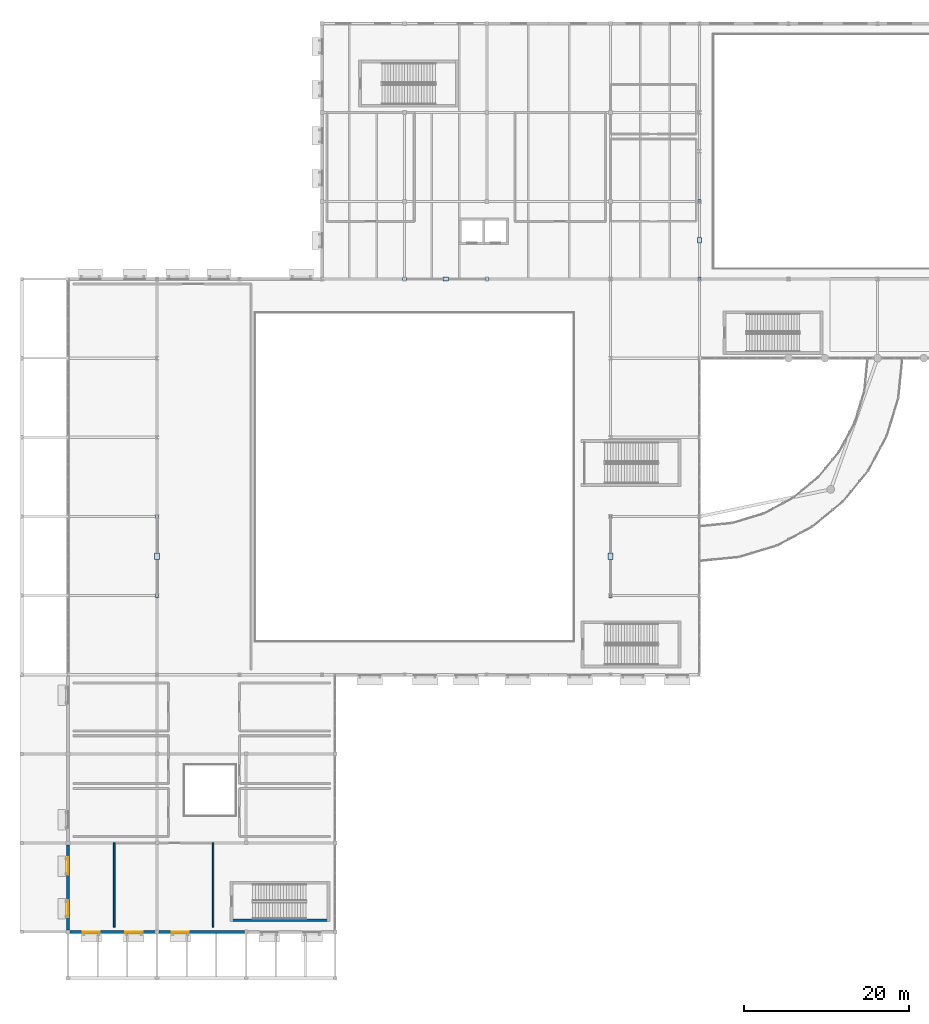
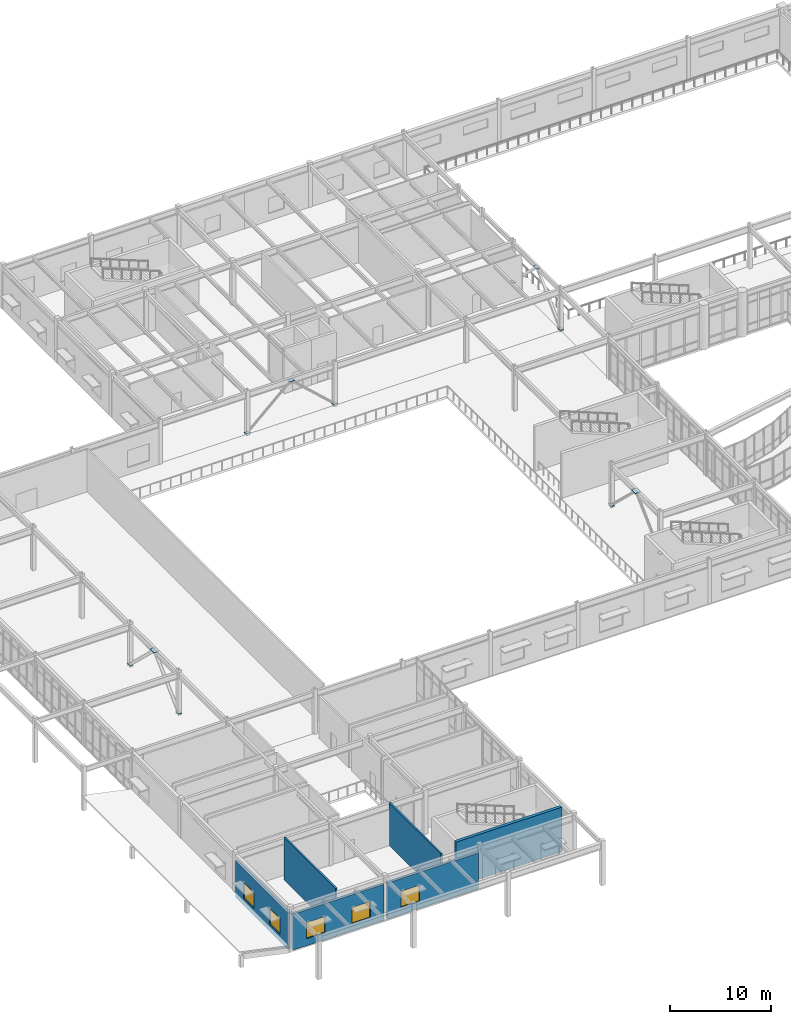
# One storey, part 47 of 72: 12 plates, 6 walls, 5 windows, 5 openings.
"""IFC4 building model written with IfcOpenShell, lengths in metres."""

from ifc_helpers import new_model, si_unit, direction, frame, frame_2d, origin, origin_2d, place, context, subcontext, project, spatial, rectangle, extrude, material, layer, layer_set, type_object, element, fill, save


model = new_model("IFC4")

# Units and contexts
model_context = context("Model", 3, precision=1e-05, world=origin(), true_north=direction((0.0, 1.0)))
body_context = subcontext(model_context, "Body", "Model", "MODEL_VIEW")
ifc_project = project(units=[si_unit("LENGTHUNIT", "METRE"), si_unit("AREAUNIT", "SQUARE_METRE"), si_unit("VOLUMEUNIT", "CUBIC_METRE"), si_unit("PLANEANGLEUNIT", "RADIAN"), si_unit("MASSUNIT", "GRAM", prefix="KILO")], contexts=[model_context])

# Site, building, storey
site_placement = place(None, origin())
site = spatial("IfcSite", under=ifc_project, at=site_placement, CompositionType="ELEMENT")
building_placement = place(site_placement, origin())
building = spatial("IfcBuilding", under=site, at=building_placement, Name="Veldera Park Congress Hotel", CompositionType="ELEMENT")
storey_placement = place(building_placement, frame((0.0, 0.0, 5.39990234375)))
storey = spatial("IfcBuildingStorey", under=building, at=storey_placement, Name="L01", CompositionType="ELEMENT", Elevation=5.39990234375)

# Plates
ifc_material_1 = material(Name="Steel ASTM A572 Gr.50", Category="steel")
ifc_layer_1 = layer(ifc_material_1, 0.02197265625)
ifc_layer_set_1 = layer_set([ifc_layer_1], Name="Steel ASTM A572 Gr.50")
plate_type_1 = type_object("IfcPlateType", Name="PLT-CAP01", PredefinedType="SHEET", material=ifc_layer_set_1)
for number, where, z_axis, x_axis, name in (
    (1, (-1.60009765625, 27.0, 0.189208984375), (0.0, 0.0, 1.0), (0.0, 1.0, 0.0), "Brace Base Cap Plate 11A"),
    (2, (-1.60009765625, 36.39990234375, 0.189208984375), (0.0, 0.0, 1.0), (0.0, 1.0, 0.0), "Brace Base Cap Plate 11B"),
    (3, (-37.39990234375, 27.0, 0.189208984375), (0.0, 0.0, 1.0), (1.0, 0.0, 0.0), "Brace Base Cap Plate 12A"),
    (4, (-27.39990234375, 27.0, 0.189208984375), (0.0, 0.0, 1.0), (1.0, 0.0, 0.0), "Brace Base Cap Plate 12B"),
):
    element("IfcPlate", number, at=place(storey_placement, frame(where, z_axis=z_axis, x_axis=x_axis)), inside=storey, type_object=plate_type_1, Name=name, PredefinedType="SHEET", context=body_context, shape_type="SweptSolid", body=[
        extrude(rectangle(XDim=0.47998046875, YDim=0.340087890625, at=origin_2d()), origin(), (0.0, 0.0, 1.0), 0.02197265625),
    ])
ifc_layer_2 = layer(ifc_material_1, 0.033935546875)
ifc_layer_set_2 = layer_set([ifc_layer_2], Name="Steel ASTM A572 Gr.50")
plate_type_2 = type_object("IfcPlateType", Name="PLT-CAP02", PredefinedType="SHEET", material=ifc_layer_set_2)
for number, where, z_axis, x_axis, name in (
    (5, (-67.39990234375, -11.39990234375, 0.18310546875), (0.0, 0.0, 1.0), (0.0, 1.0, 0.0), "Brace Base Cap Plate 9A"),
    (6, (-67.39990234375, -1.800048828125, 0.18310546875), (0.0, 0.0, 1.0), (0.0, 1.0, 0.0), "Brace Base Cap Plate 9B"),
    (7, (-12.39990234375, -11.39990234375, 0.18310546875), (0.0, 0.0, 1.0), (0.0, 1.0, 0.0), "Brace Base Cap Plate 10A"),
    (8, (-12.39990234375, -1.800048828125, 0.18310546875), (0.0, 0.0, 1.0), (0.0, 1.0, 0.0), "Brace Base Cap Plate 10B"),
):
    element("IfcPlate", number, at=place(storey_placement, frame(where, z_axis=z_axis, x_axis=x_axis)), inside=storey, type_object=plate_type_2, Name=name, PredefinedType="SHEET", context=body_context, shape_type="SweptSolid", body=[
        extrude(rectangle(XDim=0.5400390625, YDim=0.3798828125, at=origin_2d()), origin(), (0.0, 0.0, 1.0), 0.033935546875),
    ])
ifc_layer_3 = layer(ifc_material_1, 0.030029296875)
ifc_layer_set_3 = layer_set([ifc_layer_3], Name="Steel ASTM A572 Gr.50")
plate_type_3 = type_object("IfcPlateType", Name="PLT-GUS02", PredefinedType="USERDEFINED", material=ifc_layer_set_3)
for number, where, z_axis, x_axis, name in (
    (9, (-1.60009765625, 31.699951171875, 4.806640625), (0.0, 0.0, 1.0), (0.0, 1.0, 0.0), "Chevron Apex Gusset Plate 11"),
    (10, (-32.39990234375, 27.0, 4.7646484375), (0.0, 0.0, 1.0), (1.0, 0.0, 0.0), "Chevron Apex Gusset Plate 12"),
):
    element("IfcPlate", number, at=place(storey_placement, frame(where, z_axis=z_axis, x_axis=x_axis)), inside=storey, type_object=plate_type_3, Name=name, ObjectType="GUSSET PLATE", PredefinedType="USERDEFINED", context=body_context, shape_type="SweptSolid", body=[
        extrude(rectangle(XDim=0.639892578125, YDim=0.4599609375, at=origin_2d()), origin(), (0.0, 0.0, 1.0), 0.030029296875),
    ])
ifc_layer_4 = layer(ifc_material_1, 0.050048828125)
ifc_layer_set_4 = layer_set([ifc_layer_4], Name="Steel ASTM A572 Gr.50")
plate_type_4 = type_object("IfcPlateType", Name="PLT-GUS04", PredefinedType="USERDEFINED", material=ifc_layer_set_4)
for number, where, z_axis, x_axis, name in (
    (11, (-67.39990234375, -6.60009765625, 4.7587890625), (0.0, 0.0, 1.0), (0.0, 1.0, 0.0), "Chevron Apex Gusset Plate 9"),
    (12, (-12.39990234375, -6.60009765625, 4.7587890625), (0.0, 0.0, 1.0), (0.0, 1.0, 0.0), "Chevron Apex Gusset Plate 10"),
):
    element("IfcPlate", number, at=place(storey_placement, frame(where, z_axis=z_axis, x_axis=x_axis)), inside=storey, type_object=plate_type_4, Name=name, ObjectType="GUSSET PLATE", PredefinedType="USERDEFINED", context=body_context, shape_type="SweptSolid", body=[
        extrude(rectangle(XDim=0.800048828125, YDim=0.580078125, at=origin_2d()), origin(), (0.0, 0.0, 1.0), 0.050048828125),
    ])

# Wall, openings, windows
ifc_material_2 = material(Name="Cross-laminated timber CLT V2M1.1", Category="wood")
ifc_layer_5 = layer(ifc_material_2, 0.320068359375)
ifc_layer_set_5 = layer_set([ifc_layer_5], Name="Cross-laminated timber CLT V2M1.1")
wall_type_1 = type_object("IfcWallType", Name="EW-CLT320", PredefinedType="STANDARD", material=ifc_layer_set_5)
wall_1_placement = place(storey_placement, frame((-78.199951171875, -41.623046875, 0.0), z_axis=(0.0, 0.0, 1.0), x_axis=(0.0, -1.0, 0.0)))
wall_1 = element("IfcWall", 13, at=wall_1_placement, inside=storey, type_object=wall_type_1, Name="L01 Exterior Wall EW3-L01-0069", PredefinedType="STANDARD", context=body_context, shape_type="SweptSolid", body=[
    extrude(rectangle(XDim=10.35400390625, YDim=0.320068359375, at=frame_2d((5.177001953125, 0.0))), origin(), (0.0, 0.0, 1.0), 4.42919921875),
])
opening_1_placement = place(wall_1_placement, frame((1.53857421875, 0.0, 0.85009765625)))
opening_1 = element("IfcOpeningElement", 14, at=opening_1_placement, cuts=wall_1, Name="Opening WIN-2100", PredefinedType="OPENING", context=body_context, shape_type="SweptSolid", body=[
    extrude(rectangle(XDim=2.10009765625, YDim=1.949951171875, at=frame_2d((1.050048828125, 0.97509765625))), frame((0.0, 0.172119140625, 0.0), z_axis=(0.0, -1.0, 0.0), x_axis=(1.0, 0.0, 0.0)), (0.0, 0.0, 1.0), 0.343994140625),
])
opening_2_placement = place(wall_1_placement, frame((6.715576171875, 0.0, 0.85009765625)))
opening_2 = element("IfcOpeningElement", 15, at=opening_2_placement, cuts=wall_1, Name="Opening WIN-2100", PredefinedType="OPENING", context=body_context, shape_type="SweptSolid", body=[
    extrude(rectangle(XDim=2.10009765625, YDim=1.949951171875, at=frame_2d((1.050048828125, 0.97509765625))), frame((0.0, 0.172119140625, 0.0), z_axis=(0.0, -1.0, 0.0), x_axis=(1.0, 0.0, 0.0)), (0.0, 0.0, 1.0), 0.343994140625),
])
ifc_material_3 = material(Name="Low-E Triple Insulating Glass Unit (SHGC 0.22)", Category="glass")
window_type = type_object("IfcWindowType", Name="WIN-2100", PartitioningType="DOUBLE_PANEL_VERTICAL", PredefinedType="WINDOW", material=ifc_material_3)
window_1_placement = place(opening_1_placement, origin())
window_1 = element("IfcWindow", 16, at=window_1_placement, inside=storey, type_object=window_type, Name="L01 Window WIN-2100 83", OverallHeight=1.949951171875, OverallWidth=2.10009765625, PartitioningType="DOUBLE_PANEL_VERTICAL", PredefinedType="WINDOW", context=body_context, shape_type="SweptSolid", body=[
    extrude(rectangle(XDim=2.10009765625, YDim=1.949951171875, at=frame_2d((1.050048828125, 0.97509765625))), frame((0.0, 0.030029296875, 0.0), z_axis=(0.0, -1.0, 0.0), x_axis=(1.0, 0.0, 0.0)), (0.0, 0.0, 1.0), 0.06005859375),
])
fill(opening_1, window_1)
window_2_placement = place(opening_2_placement, origin())
window_2 = element("IfcWindow", 17, at=window_2_placement, inside=storey, type_object=window_type, Name="L01 Window WIN-2100 84", OverallHeight=1.949951171875, OverallWidth=2.10009765625, PartitioningType="DOUBLE_PANEL_VERTICAL", PredefinedType="WINDOW", context=body_context, shape_type="SweptSolid", body=[
    extrude(rectangle(XDim=2.10009765625, YDim=1.949951171875, at=frame_2d((1.050048828125, 0.97509765625))), frame((0.0, 0.030029296875, 0.0), z_axis=(0.0, -1.0, 0.0), x_axis=(1.0, 0.0, 0.0)), (0.0, 0.0, 1.0), 0.06005859375),
])
fill(opening_2, window_2)

wall_2_placement = place(storey_placement, frame((-77.97705078125, -52.199951171875, 0.0), z_axis=(0.0, 0.0, 1.0), x_axis=(1.0, 0.0, 0.0)))
wall_2 = element("IfcWall", 18, at=wall_2_placement, inside=storey, type_object=wall_type_1, Name="L01 Exterior Wall EW3-L01-0070", PredefinedType="STANDARD", context=body_context, shape_type="SweptSolid", body=[
    extrude(rectangle(XDim=10.35400390625, YDim=0.320068359375, at=frame_2d((5.177001953125, 0.0))), origin(), (0.0, 0.0, 1.0), 4.34619140625),
])
opening_3_placement = place(wall_2_placement, frame((1.53857421875, 0.0, 0.85009765625)))
opening_3 = element("IfcOpeningElement", 19, at=opening_3_placement, cuts=wall_2, Name="Opening WIN-2100", PredefinedType="OPENING", context=body_context, shape_type="SweptSolid", body=[
    extrude(rectangle(XDim=2.10009765625, YDim=1.949951171875, at=frame_2d((1.050048828125, 0.97509765625))), frame((0.0, 0.172119140625, 0.0), z_axis=(0.0, -1.0, 0.0), x_axis=(1.0, 0.0, 0.0)), (0.0, 0.0, 1.0), 0.343994140625),
])
opening_4_placement = place(wall_2_placement, frame((6.715576171875, 0.0, 0.85009765625)))
opening_4 = element("IfcOpeningElement", 20, at=opening_4_placement, cuts=wall_2, Name="Opening WIN-2100", PredefinedType="OPENING", context=body_context, shape_type="SweptSolid", body=[
    extrude(rectangle(XDim=2.10009765625, YDim=1.949951171875, at=frame_2d((1.050048828125, 0.97509765625))), frame((0.0, 0.172119140625, 0.0), z_axis=(0.0, -1.0, 0.0), x_axis=(1.0, 0.0, 0.0)), (0.0, 0.0, 1.0), 0.343994140625),
])
window_3_placement = place(opening_3_placement, origin())
window_3 = element("IfcWindow", 21, at=window_3_placement, inside=storey, type_object=window_type, Name="L01 Window WIN-2100 85", OverallHeight=1.949951171875, OverallWidth=2.10009765625, PartitioningType="DOUBLE_PANEL_VERTICAL", PredefinedType="WINDOW", context=body_context, shape_type="SweptSolid", body=[
    extrude(rectangle(XDim=2.10009765625, YDim=1.949951171875, at=frame_2d((1.050048828125, 0.97509765625))), frame((0.0, 0.030029296875, 0.0), z_axis=(0.0, -1.0, 0.0), x_axis=(1.0, 0.0, 0.0)), (0.0, 0.0, 1.0), 0.06005859375),
])
fill(opening_3, window_3)
window_4_placement = place(opening_4_placement, origin())
window_4 = element("IfcWindow", 22, at=window_4_placement, inside=storey, type_object=window_type, Name="L01 Window WIN-2100 86", OverallHeight=1.949951171875, OverallWidth=2.10009765625, PartitioningType="DOUBLE_PANEL_VERTICAL", PredefinedType="WINDOW", context=body_context, shape_type="SweptSolid", body=[
    extrude(rectangle(XDim=2.10009765625, YDim=1.949951171875, at=frame_2d((1.050048828125, 0.97509765625))), frame((0.0, 0.030029296875, 0.0), z_axis=(0.0, -1.0, 0.0), x_axis=(1.0, 0.0, 0.0)), (0.0, 0.0, 1.0), 0.06005859375),
])
fill(opening_4, window_4)

# Wall, opening, window
wall_3_placement = place(storey_placement, frame((-67.177001953125, -52.199951171875, 0.0), z_axis=(0.0, 0.0, 1.0), x_axis=(1.0, 0.0, 0.0)))
wall_3 = element("IfcWall", 23, at=wall_3_placement, inside=storey, type_object=wall_type_1, Name="L01 Exterior Wall EW3-L01-0071", PredefinedType="STANDARD", context=body_context, shape_type="SweptSolid", body=[
    extrude(rectangle(XDim=10.35400390625, YDim=0.320068359375, at=frame_2d((5.177001953125, 0.0))), origin(), (0.0, 0.0, 1.0), 4.34619140625),
])
opening_5_placement = place(wall_3_placement, frame((1.53857421875, 0.0, 0.85009765625)))
opening_5 = element("IfcOpeningElement", 24, at=opening_5_placement, cuts=wall_3, Name="Opening WIN-2100", PredefinedType="OPENING", context=body_context, shape_type="SweptSolid", body=[
    extrude(rectangle(XDim=2.10009765625, YDim=1.949951171875, at=frame_2d((1.050048828125, 0.97509765625))), frame((0.0, 0.172119140625, 0.0), z_axis=(0.0, -1.0, 0.0), x_axis=(1.0, 0.0, 0.0)), (0.0, 0.0, 1.0), 0.343994140625),
])
window_5_placement = place(opening_5_placement, origin())
window_5 = element("IfcWindow", 25, at=window_5_placement, inside=storey, type_object=window_type, Name="L01 Window WIN-2100 87", OverallHeight=1.949951171875, OverallWidth=2.10009765625, PartitioningType="DOUBLE_PANEL_VERTICAL", PredefinedType="WINDOW", context=body_context, shape_type="SweptSolid", body=[
    extrude(rectangle(XDim=2.10009765625, YDim=1.949951171875, at=frame_2d((1.050048828125, 0.97509765625))), frame((0.0, 0.030029296875, 0.0), z_axis=(0.0, -1.0, 0.0), x_axis=(1.0, 0.0, 0.0)), (0.0, 0.0, 1.0), 0.06005859375),
])
fill(opening_5, window_5)

# Walls
ifc_material_4 = material(Name="Fire-Rated Gypsum Board on Cold-Formed Steel Studs", Category="steel")
ifc_layer_6 = layer(ifc_material_4, 0.195068359375)
ifc_layer_set_6 = layer_set([ifc_layer_6], Name="Fire-Rated Gypsum Board on Cold-Formed Steel Studs")
wall_type_2 = type_object("IfcWallType", Name="IW-CORR195", PredefinedType="PARTITIONING", material=ifc_layer_set_6)
for number, where, z_axis, x_axis, name in (
    (26, (-60.60009765625, -51.60009765625, 0.0), (0.0, 0.0, 1.0), (0.0, 1.0, 0.0), "L01 Partition Wall IW3-L01-00138"),
    (27, (-72.60009765625, -41.39990234375, 0.0), (0.0, 0.0, 1.0), (0.0, -1.0, 0.0), "L01 Partition Wall IW3-L01-00140"),
):
    element("IfcWall", number, at=place(storey_placement, frame(where, z_axis=z_axis, x_axis=x_axis)), inside=storey, type_object=wall_type_2, Name=name, PredefinedType="PARTITIONING", context=body_context, shape_type="SweptSolid", body=[
        extrude(rectangle(XDim=10.2001953125, YDim=0.195068359375, at=frame_2d((5.10009765625, 0.0))), origin(), (0.0, 0.0, 1.0), 5.130126953125),
    ])
ifc_material_5 = material(Name="Concrete f'c 40 MPa (5,800 psi)", Category="concrete")
ifc_layer_7 = layer(ifc_material_5, 0.35009765625)
ifc_layer_set_7 = layer_set([ifc_layer_7], Name="Concrete f'c 40 MPa (5,800 psi)")
wall_type_3 = type_object("IfcWallType", Name="SW-CORE350", PredefinedType="SHEAR", material=ifc_layer_set_7)
wall_4_placement = place(storey_placement, frame((-58.550048828125, -50.77490234375, 0.0), z_axis=(0.0, 0.0, 1.0), x_axis=(1.0, 0.0, 0.0)))
element("IfcWall", 28, at=wall_4_placement, inside=storey, type_object=wall_type_3, Name="Stair ST8 Core Wall L01-S", PredefinedType="SHEAR", context=body_context, shape_type="SweptSolid", body=[
    extrude(rectangle(XDim=12.10009765625, YDim=0.35009765625, at=frame_2d((6.050048828125, 0.0))), origin(), (0.0, 0.0, 1.0), 5.400146484375),
])

save(model, "model.ifc")
